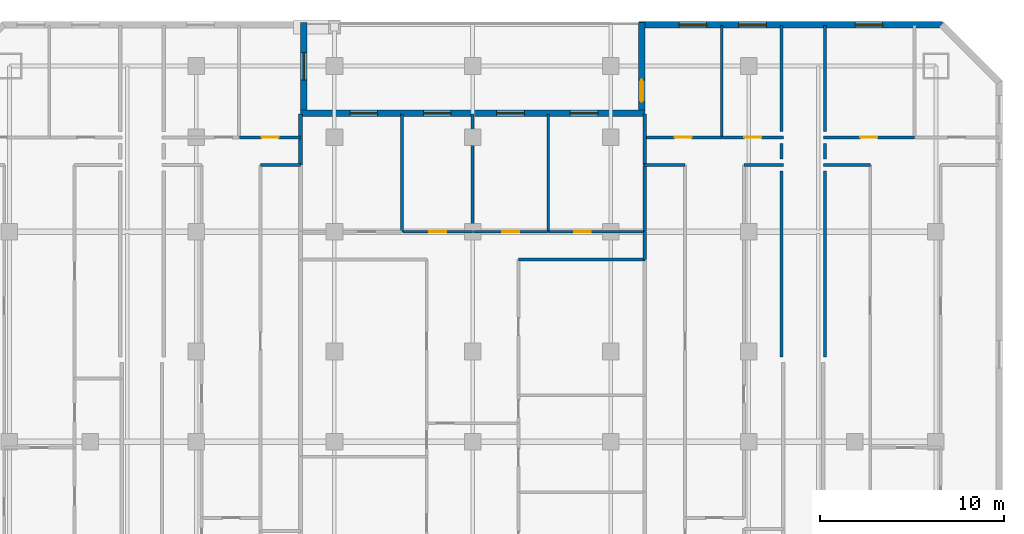
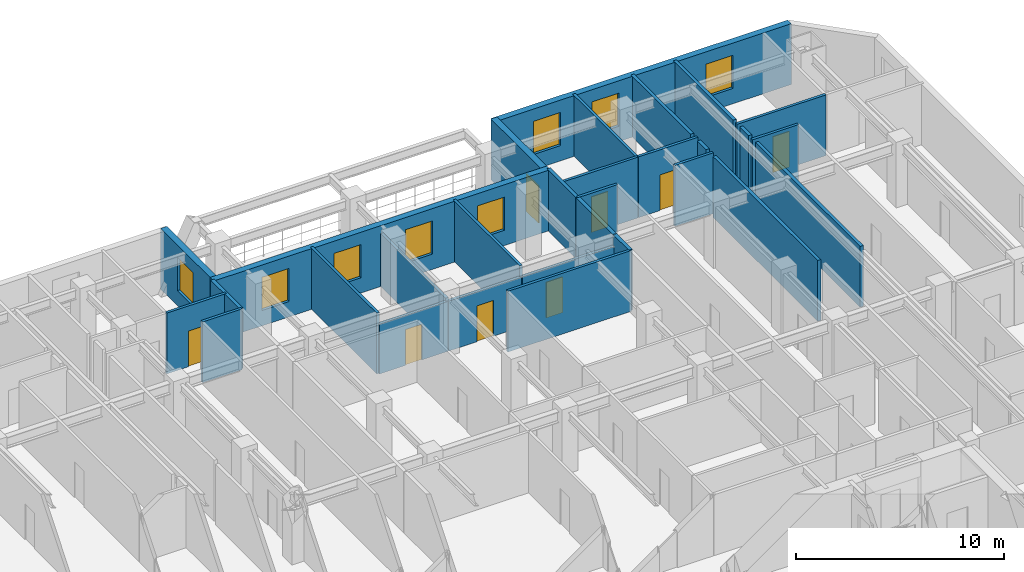
# One storey, part 8 of 10: 30 walls, 8 doors, 8 windows, 16 openings.
"""IFC4 building model written with IfcOpenShell, lengths in metres."""

import ifcopenshell
import ifcopenshell.guid

model = None  # the IFC model being written
_history = None  # IfcOwnerHistory: only IFC2X3 demands one
_inside = {}  # id of a spatial element -> (the spatial element, [elements in it])
_under = {}  # id of a project, library or spatial element -> (it, [spatial elements below it])
_declared = {}  # id of a project -> (the project, [libraries it declares])
_typed = {}  # id of a type object -> (the type object, [elements of that type])
_made_of = {}  # id of a material, layer set ... -> (it, [elements and type objects made of it])


def new_model(schema):
    """Start an empty IFC model of exactly this schema.

    Asked for "IFC4X3", IfcOpenShell would pick the latest addendum, in which some entities
    have other attributes; the version numbers below select the first issue.
    IFC2X3 requires an IfcOwnerHistory on every rooted entity: one is made here for all.
    """
    global model, _history
    if schema == "IFC4X3":
        model = ifcopenshell.file(schema_version=(4, 3, 0, 0))
    else:
        model = ifcopenshell.file(schema=schema)
    _inside.clear()
    _under.clear()
    _declared.clear()
    _typed.clear()
    _made_of.clear()
    _history = None
    if model.schema == "IFC2X3":
        org = make("IfcOrganization", Name="unknown")
        user = make(
            "IfcPersonAndOrganization",
            ThePerson=make("IfcPerson", FamilyName="unknown"),
            TheOrganization=org,
        )
        app = make(
            "IfcApplication",
            ApplicationDeveloper=org,
            Version="unknown",
            ApplicationFullName="unknown",
            ApplicationIdentifier="unknown",
        )
        _history = make(
            "IfcOwnerHistory",
            OwningUser=user,
            OwningApplication=app,
            ChangeAction="ADDED",
            CreationDate=0,
        )
    return model


def make(cls, **values):
    """One entity of the class cls with the attributes given. An attribute that is None is left unset."""
    return model.create_entity(
        cls, **{name: value for name, value in values.items() if value is not None}
    )


def rooted(cls, **values):
    """An entity with a GlobalId (a new one), such as an element, a storey or a relation."""
    return make(cls, GlobalId=ifcopenshell.guid.new(), OwnerHistory=_history, **values)


def si_unit(unit_type, name, prefix=None):
    """IfcSIUnit, for example si_unit("LENGTHUNIT", "METRE", prefix="MILLI")."""
    return make("IfcSIUnit", UnitType=unit_type, Prefix=prefix, Name=name)


def assignment(units):
    """IfcUnitAssignment: the units of a project."""
    return None if units is None else make("IfcUnitAssignment", Units=units)


def point(xyz):
    """IfcCartesianPoint."""
    return None if xyz is None else make("IfcCartesianPoint", Coordinates=xyz)


def direction(xyz):
    """IfcDirection."""
    return None if xyz is None else make("IfcDirection", DirectionRatios=xyz)


def frame(location, z_axis=None, x_axis=None):
    """IfcAxis2Placement3D, a coordinate frame: its origin and axes. An axis left out is left unset."""
    return make(
        "IfcAxis2Placement3D",
        Location=point(location),
        Axis=direction(z_axis),
        RefDirection=direction(x_axis),
    )


def frame_2d(location, x_axis=None):
    """IfcAxis2Placement2D, a coordinate frame in the plane: its origin and x axis."""
    return make(
        "IfcAxis2Placement2D", Location=point(location), RefDirection=direction(x_axis)
    )


def origin():
    """The frame at (0, 0, 0) with its axes left unset."""
    return frame((0.0, 0.0, 0.0))


def place(relative_to, where):
    """IfcLocalPlacement: puts the frame where relative to a parent placement (None: the world)."""
    return make(
        "IfcLocalPlacement", PlacementRelTo=relative_to, RelativePlacement=where
    )


def context(
    kind, dimensions, precision=None, world=None, true_north=None, identifier=None
):
    """IfcGeometricRepresentationContext, for example the 3D "Model" context."""
    return make(
        "IfcGeometricRepresentationContext",
        ContextIdentifier=identifier,
        ContextType=kind,
        CoordinateSpaceDimension=dimensions,
        Precision=precision,
        WorldCoordinateSystem=world,
        TrueNorth=true_north,
    )


def subcontext(parent, identifier, kind, view, scale=None):
    """IfcGeometricRepresentationSubContext, for example "Body" below "Model"."""
    return make(
        "IfcGeometricRepresentationSubContext",
        ContextIdentifier=identifier,
        ContextType=kind,
        ParentContext=parent,
        TargetScale=scale,
        TargetView=view,
    )


def project(units=None, contexts=None):
    """IfcProject with its units and contexts."""
    return rooted(
        "IfcProject",
        Name="project",
        RepresentationContexts=contexts,
        UnitsInContext=assignment(units),
    )


def spatial(cls, under=None, at=None, **own):
    """A site, building, storey or space (cls), placed at a placement, below another one or the project."""
    s = rooted(cls, ObjectPlacement=at, **own)
    if under is not None:
        _under.setdefault(under.id(), (under, []))[1].append(s)
    return s


def profile(cls, at=None, kind="AREA", **sizes):
    """A parametric profile (cls). Its sizes go by their IFC names, for example OverallWidth=200.0."""
    return make(cls, ProfileType=kind, Position=at, **sizes)


def rectangle(**sizes):
    """IfcRectangleProfileDef."""
    return profile("IfcRectangleProfileDef", **sizes)


def extrude(swept, where, along, depth):
    """IfcExtrudedAreaSolid: the profile swept, set in the frame where, extruded along a direction by depth."""
    return make(
        "IfcExtrudedAreaSolid",
        SweptArea=swept,
        Position=where,
        ExtrudedDirection=direction(along),
        Depth=depth,
    )


def shape(context_of_items, identifier, shape_type, items):
    """IfcShapeRepresentation: the items that make up one representation, for example the "Body"."""
    return make(
        "IfcShapeRepresentation",
        ContextOfItems=context_of_items,
        RepresentationIdentifier=identifier,
        RepresentationType=shape_type,
        Items=items,
    )


def material(Name=None, Category=None):
    """IfcMaterial."""
    return make("IfcMaterial", Name=Name, Category=Category)


def layer(
    of_material, thickness, ventilated=None, Name=None, Category=None, Priority=None
):
    """IfcMaterialLayer: one layer of a wall or slab, of a material (None: an air gap)."""
    return make(
        "IfcMaterialLayer",
        Material=of_material,
        LayerThickness=thickness,
        IsVentilated=ventilated,
        Name=Name,
        Category=Category,
        Priority=Priority,
    )


def layer_set(layers, Name=None):
    """IfcMaterialLayerSet."""
    return make("IfcMaterialLayerSet", MaterialLayers=layers, LayerSetName=Name)


def made_of(thing, what):
    """Note that an element or type object is made of a material, layer set ...; save() writes the relation."""
    if what is not None:
        _made_of.setdefault(what.id(), (what, []))[1].append(thing)
    return thing


def type_object(cls, material=None, **own):
    """A type object (cls), such as IfcWallType, which elements share."""
    return made_of(rooted(cls, **own), material)


def element(
    cls,
    number,
    at=None,
    inside=None,
    cuts=None,
    type_object=None,
    material=None,
    context=None,
    identifier="Body",
    shape_type=None,
    held_by="IfcProductDefinitionShape",
    body=None,
    shapes=None,
    **own,
):
    """One element of the class cls, such as IfcWall. Its Tag is "e" and its number.

    at: its placement. inside: the storey or other place that contains it. cuts: it is an
    opening in that element (IfcRelVoidsElement). A single representation is given by context,
    identifier, shape_type and body (its items); several are given by shapes. held_by: the class
    of the entity that holds the representations. save() writes the other relations.
    """
    e = rooted(cls, Tag="e%d" % number, ObjectPlacement=at, **own)
    if body is not None:
        shapes = [shape(context, identifier, shape_type, body)]
    if shapes is not None:
        e.Representation = make(held_by, Representations=shapes)
    if inside is not None:
        _inside.setdefault(inside.id(), (inside, []))[1].append(e)
    if cuts is not None:
        rooted(
            "IfcRelVoidsElement", RelatingBuildingElement=cuts, RelatedOpeningElement=e
        )
    if type_object is not None:
        _typed.setdefault(type_object.id(), (type_object, []))[1].append(e)
    return made_of(e, material)


def fill(opening, filler):
    """IfcRelFillsElement: the door or window that sits in an opening."""
    return rooted(
        "IfcRelFillsElement",
        RelatingOpeningElement=opening,
        RelatedBuildingElement=filler,
    )


def aggregate(whole, parts):
    """IfcRelAggregates: a whole, such as a stair, and the parts it consists of."""
    return rooted("IfcRelAggregates", RelatingObject=whole, RelatedObjects=parts)


def save(model, path):
    """Write the relations noted so far, then the file.

    IfcRelAggregates (storeys below a building ...), IfcRelContainedInSpatialStructure (elements
    in a storey), IfcRelDefinesByType, IfcRelAssociatesMaterial and IfcRelDeclares: one each for
    every whole, place, type object, material and project.
    """
    for whole, parts in _under.values():
        aggregate(whole, parts)
    for where, things in _inside.values():
        rooted(
            "IfcRelContainedInSpatialStructure",
            RelatedElements=things,
            RelatingStructure=where,
        )
    for kind, things in _typed.values():
        rooted("IfcRelDefinesByType", RelatedObjects=things, RelatingType=kind)
    for what, things in _made_of.values():
        rooted("IfcRelAssociatesMaterial", RelatedObjects=things, RelatingMaterial=what)
    for by, libraries in _declared.values():
        rooted("IfcRelDeclares", RelatingContext=by, RelatedDefinitions=libraries)
    model.write(path)


model = new_model("IFC4")

# Units and contexts
model_context = context("Model", 3, precision=1e-05, world=origin(), true_north=direction((0.0, 1.0)))
body_context = subcontext(model_context, "Body", "Model", "MODEL_VIEW")
ifc_project = project(units=[si_unit("LENGTHUNIT", "METRE"), si_unit("AREAUNIT", "SQUARE_METRE"), si_unit("VOLUMEUNIT", "CUBIC_METRE"), si_unit("PLANEANGLEUNIT", "RADIAN"), si_unit("MASSUNIT", "GRAM", prefix="KILO")], contexts=[model_context])

# Site, building, storey
site_placement = place(None, origin())
site = spatial("IfcSite", under=ifc_project, at=site_placement, CompositionType="ELEMENT")
building_placement = place(site_placement, origin())
building = spatial("IfcBuilding", under=site, at=building_placement, Name="Ventersveld Concourse Tower", CompositionType="ELEMENT")
storey_placement = place(building_placement, frame((0.0, 0.0, 72.14990234375)))
storey = spatial("IfcBuildingStorey", under=building, at=storey_placement, Name="L17", CompositionType="ELEMENT", Elevation=72.14990234375)

# Walls
ifc_material_1 = material(Name="Fire-rated autoclaved aerated masonry blockwork", Category="masonry")
ifc_layer_1 = layer(ifc_material_1, 0.179931640625)
ifc_layer_set_1 = layer_set([ifc_layer_1], Name="Fire-rated autoclaved aerated masonry blockwork")
wall_type_1 = type_object("IfcWallType", Name="WL-CORR-180", PredefinedType="PARTITIONING", material=ifc_layer_set_1)
wall_1_placement = place(storey_placement, frame((47.8798828125, 38.945068359375, 0.0), z_axis=(0.0, 0.0, 1.0), x_axis=(0.0, 1.0, 0.0)))
element("IfcWall", 1, at=wall_1_placement, inside=storey, type_object=wall_type_1, Name="L17 Room Enclosure Wall SP-L17-17NE-LIV", PredefinedType="PARTITIONING", context=body_context, shape_type="SweptSolid", body=[
    extrude(rectangle(XDim=0.849853515625, YDim=0.179931640625, at=frame_2d((0.4248046875, 0.0))), origin(), (0.0, 0.0, 1.0), 3.570068359375),
])
wall_2_placement = place(storey_placement, frame((47.8798828125, 28.2099609375, 0.0), z_axis=(0.0, 0.0, 1.0), x_axis=(0.0, 1.0, 0.0)))
element("IfcWall", 2, at=wall_2_placement, inside=storey, type_object=wall_type_1, Name="L17 Room Enclosure Wall SP-L17-17NE-MEDL0", PredefinedType="PARTITIONING", context=body_context, shape_type="SweptSolid", body=[
    extrude(rectangle(XDim=10.0849609375, YDim=0.179931640625, at=frame_2d((5.04248046875, 0.0))), origin(), (0.0, 0.0, 1.0), 3.570068359375),
])
wall_3_placement = place(storey_placement, frame((47.8798828125, 40.445068359375, 0.0), z_axis=(0.0, 0.0, 1.0), x_axis=(0.0, 1.0, 0.0)))
element("IfcWall", 3, at=wall_3_placement, inside=storey, type_object=wall_type_1, Name="L17 Room Enclosure Wall SP-L17-17NE-BR1", PredefinedType="PARTITIONING", context=body_context, shape_type="SweptSolid", body=[
    extrude(rectangle(XDim=5.744873046875, YDim=0.179931640625, at=frame_2d((2.87255859375, 0.0))), origin(), (0.0, 0.0, 1.0), 3.570068359375),
])
wall_4_placement = place(storey_placement, frame((45.52001953125, 39.794921875, 0.0), z_axis=(0.0, 0.0, 1.0), x_axis=(0.0, -1.0, 0.0)))
element("IfcWall", 4, at=wall_4_placement, inside=storey, type_object=wall_type_1, Name="L17 Room Enclosure Wall SP-L17-17CE-LIV", PredefinedType="PARTITIONING", context=body_context, shape_type="SweptSolid", body=[
    extrude(rectangle(XDim=0.849853515625, YDim=0.179931640625, at=frame_2d((0.4248046875, 0.0))), origin(), (0.0, 0.0, 1.0), 3.570068359375),
])
wall_5_placement = place(storey_placement, frame((45.52001953125, 38.294921875, 0.0), z_axis=(0.0, 0.0, 1.0), x_axis=(0.0, -1.0, 0.0)))
element("IfcWall", 5, at=wall_5_placement, inside=storey, type_object=wall_type_1, Name="L17 Room Enclosure Wall SP-L17-17CE-DENR", PredefinedType="PARTITIONING", context=body_context, shape_type="SweptSolid", body=[
    extrude(rectangle(XDim=10.0849609375, YDim=0.179931640625, at=frame_2d((5.04248046875, 0.0))), origin(), (0.0, 0.0, 1.0), 3.570068359375),
])
wall_6_placement = place(storey_placement, frame((45.52001953125, 46.18994140625, 0.0), z_axis=(0.0, 0.0, 1.0), x_axis=(0.0, -1.0, 0.0)))
element("IfcWall", 6, at=wall_6_placement, inside=storey, type_object=wall_type_1, Name="L17 Room Enclosure Wall SP-L17-17CE-BR2", PredefinedType="PARTITIONING", context=body_context, shape_type="SweptSolid", body=[
    extrude(rectangle(XDim=5.744873046875, YDim=0.179931640625, at=frame_2d((2.87255859375, 0.0))), origin(), (0.0, 0.0, 1.0), 3.570068359375),
])
ifc_layer_2 = layer(ifc_material_1, 0.199951171875)
ifc_layer_set_2 = layer_set([ifc_layer_2], Name="Fire-rated autoclaved aerated masonry blockwork")
wall_type_2 = type_object("IfcWallType", Name="WL-DEMISE-200", PredefinedType="PARTITIONING", material=ifc_layer_set_2)
for number, where, z_axis, x_axis, name in (
    (7, (19.409912109375, 38.614990234375, 0.0), (0.0, 0.0, 1.0), (0.0, 1.0, 0.0), "L17 Interior Partition SP-L17-17CW-LIV-SP-L17-17CM-BR1"),
    (8, (38.090087890625, 38.614990234375, 0.0), (0.0, 0.0, 1.0), (0.0, 1.0, 0.0), "L17 Interior Partition SP-L17-17CE-LIV-SP-L17-17CM-BR4"),
):
    element("IfcWall", number, at=place(storey_placement, frame(where, z_axis=z_axis, x_axis=x_axis)), inside=storey, type_object=wall_type_2, Name=name, PredefinedType="PARTITIONING", context=body_context, shape_type="SweptSolid", body=[
        extrude(rectangle(XDim=2.77490234375, YDim=0.199951171875, at=frame_2d((1.387451171875, 0.0))), origin(), (0.0, 0.0, 1.0), 3.570068359375),
    ])
wall_7_placement = place(storey_placement, frame((38.090087890625, 33.4951171875, 0.0), z_axis=(0.0, 0.0, 1.0), x_axis=(0.0, 1.0, 0.0)))
element("IfcWall", 9, at=wall_7_placement, inside=storey, type_object=wall_type_2, Name="L17 Interior Partition SP-L17-17CE-SEML0-SP-L17-17CM-LIV", PredefinedType="PARTITIONING", context=body_context, shape_type="SweptSolid", body=[
    extrude(rectangle(XDim=1.509765625, YDim=0.199951171875, at=frame_2d((0.7548828125, 0.0))), origin(), (0.0, 0.0, 1.0), 3.570068359375),
])
wall_8_placement = place(storey_placement, frame((38.090087890625, 35.034912109375, 0.0), z_axis=(0.0, 0.0, 1.0), x_axis=(0.0, 1.0, 0.0)))
element("IfcWall", 10, at=wall_8_placement, inside=storey, type_object=wall_type_2, Name="L17 Interior Partition SP-L17-17CE-SEML0-SP-L17-17CM-BR4", PredefinedType="PARTITIONING", context=body_context, shape_type="SweptSolid", body=[
    extrude(rectangle(XDim=3.550048828125, YDim=0.199951171875, at=frame_2d((1.77490234375, 0.0))), origin(), (0.0, 0.0, 1.0), 3.570068359375),
])
ifc_material_2 = material(Name="Autoclaved aerated masonry blockwork", Category="masonry")
ifc_layer_3 = layer(ifc_material_2, 0.14990234375)
ifc_layer_set_3 = layer_set([ifc_layer_3], Name="Autoclaved aerated masonry blockwork")
wall_type_3 = type_object("IfcWallType", Name="WL-INT-150", PredefinedType="PARTITIONING", material=ifc_layer_set_3)
wall_9_placement = place(storey_placement, frame((47.784912109375, 38.6201171875, 0.0), z_axis=(0.0, 0.0, 1.0), x_axis=(1.0, 0.0, 0.0)))
element("IfcWall", 11, at=wall_9_placement, inside=storey, type_object=wall_type_3, Name="L17 Interior Partition SP-L17-17NE-LIV-SP-L17-17NE-MEDL0", PredefinedType="PARTITIONING", context=body_context, shape_type="SweptSolid", body=[
    extrude(rectangle(XDim=2.55712890625, YDim=0.14990234375, at=frame_2d((1.278564453125, 0.0))), origin(), (0.0, 0.0, 1.0), 3.570068359375),
])

# Wall, opening, door
wall_10_placement = place(storey_placement, frame((47.784912109375, 40.1201171875, 0.0), z_axis=(0.0, 0.0, 1.0), x_axis=(1.0, 0.0, 0.0)))
wall_10 = element("IfcWall", 12, at=wall_10_placement, inside=storey, type_object=wall_type_3, Name="L17 Interior Partition SP-L17-17NE-LIV-SP-L17-17NE-BR1", PredefinedType="PARTITIONING", context=body_context, shape_type="SweptSolid", body=[
    extrude(rectangle(XDim=4.951171875, YDim=0.14990234375, at=frame_2d((2.4755859375, 0.0))), origin(), (0.0, 0.0, 1.0), 3.570068359375),
])
opening_1_placement = place(wall_10_placement, frame((2.015625, 0.0, 0.0)))
opening_1 = element("IfcOpeningElement", 13, at=opening_1_placement, cuts=wall_10, Name="Opening ID1", PredefinedType="OPENING", context=body_context, shape_type="SweptSolid", body=[
    extrude(rectangle(XDim=0.919921875, YDim=2.10009765625, at=frame_2d((0.4599609375, 1.050048828125))), frame((0.0, 0.0849609375, 0.0), z_axis=(0.0, -1.0, 0.0), x_axis=(1.0, 0.0, 0.0)), (0.0, 0.0, 1.0), 0.169921875),
])
ifc_material_3 = material(Name="Solid-core hardwood veneer timber", Category="wood")
door_type_1 = type_object("IfcDoorType", Name="DR-ROOM-092", OperationType="NOTDEFINED", PredefinedType="DOOR", material=ifc_material_3)
door_1_placement = place(opening_1_placement, origin())
door_1 = element("IfcDoor", 14, at=door_1_placement, inside=storey, type_object=door_type_1, Name="L17 Interior Door SP-L17-17NE-LIV to SP-L17-17NE-BR1 (D-L17-0802)", OperationType="SINGLE_SWING_RIGHT", OverallHeight=2.10009765625, OverallWidth=0.919921875, PredefinedType="DOOR", context=body_context, shape_type="SweptSolid", body=[
    extrude(rectangle(XDim=0.919921875, YDim=2.10009765625, at=frame_2d((0.4599609375, 1.050048828125))), frame((0.0, 0.02490234375, 0.0), z_axis=(0.0, -1.0, 0.0), x_axis=(1.0, 0.0, 0.0)), (0.0, 0.0, 1.0), 0.050048828125),
])
fill(opening_1, door_1)

# Wall
wall_11_placement = place(storey_placement, frame((17.227783203125, 38.6201171875, 0.0), z_axis=(0.0, 0.0, 1.0), x_axis=(1.0, 0.0, 0.0)))
element("IfcWall", 15, at=wall_11_placement, inside=storey, type_object=wall_type_3, Name="L17 Interior Partition SP-L17-17CW-LIV-SP-L17-17CW-DENR", PredefinedType="PARTITIONING", context=body_context, shape_type="SweptSolid", body=[
    extrude(rectangle(XDim=2.187255859375, YDim=0.14990234375, at=frame_2d((1.09375, 0.0))), origin(), (0.0, 0.0, 1.0), 3.570068359375),
])

# Wall, opening, door
wall_12_placement = place(storey_placement, frame((16.106201171875, 40.1201171875, 0.0), z_axis=(0.0, 0.0, 1.0), x_axis=(1.0, 0.0, 0.0)))
wall_12 = element("IfcWall", 16, at=wall_12_placement, inside=storey, type_object=wall_type_3, Name="L17 Interior Partition SP-L17-17CW-LIV-SP-L17-17CW-BR2", PredefinedType="PARTITIONING", context=body_context, shape_type="SweptSolid", body=[
    extrude(rectangle(XDim=3.308837890625, YDim=0.14990234375, at=frame_2d((1.654296875, 0.0))), origin(), (0.0, 0.0, 1.0), 3.570068359375),
])
opening_2_placement = place(wall_12_placement, frame((1.1943359375, 0.0, 0.0)))
opening_2 = element("IfcOpeningElement", 17, at=opening_2_placement, cuts=wall_12, Name="Opening ID1", PredefinedType="OPENING", context=body_context, shape_type="SweptSolid", body=[
    extrude(rectangle(XDim=0.919921875, YDim=2.10009765625, at=frame_2d((0.4599609375, 1.050048828125))), frame((0.0, 0.0849609375, 0.0), z_axis=(0.0, -1.0, 0.0), x_axis=(1.0, 0.0, 0.0)), (0.0, 0.0, 1.0), 0.169921875),
])
door_2_placement = place(opening_2_placement, origin())
door_2 = element("IfcDoor", 18, at=door_2_placement, inside=storey, type_object=door_type_1, Name="L17 Interior Door SP-L17-17CW-LIV to SP-L17-17CW-BR2 (D-L17-0811)", OperationType="SINGLE_SWING_LEFT", OverallHeight=2.10009765625, OverallWidth=0.919921875, PredefinedType="DOOR", context=body_context, shape_type="SweptSolid", body=[
    extrude(rectangle(XDim=0.919921875, YDim=2.10009765625, at=frame_2d((0.4599609375, 1.050048828125))), frame((0.0, 0.02490234375, 0.0), z_axis=(0.0, -1.0, 0.0), x_axis=(1.0, 0.0, 0.0)), (0.0, 0.0, 1.0), 0.050048828125),
])
fill(opening_2, door_2)

# Walls
wall_13_placement = place(storey_placement, frame((38.0849609375, 38.6201171875, 0.0), z_axis=(0.0, 0.0, 1.0), x_axis=(1.0, 0.0, 0.0)))
element("IfcWall", 19, at=wall_13_placement, inside=storey, type_object=wall_type_3, Name="L17 Interior Partition SP-L17-17CE-LIV-SP-L17-17CE-SEML0", PredefinedType="PARTITIONING", context=body_context, shape_type="SweptSolid", body=[
    extrude(rectangle(XDim=2.202392578125, YDim=0.14990234375, at=frame_2d((1.10107421875, 0.0))), origin(), (0.0, 0.0, 1.0), 3.570068359375),
])
wall_14_placement = place(storey_placement, frame((43.4736328125, 38.6201171875, 0.0), z_axis=(0.0, 0.0, 1.0), x_axis=(1.0, 0.0, 0.0)))
element("IfcWall", 20, at=wall_14_placement, inside=storey, type_object=wall_type_3, Name="L17 Interior Partition SP-L17-17CE-LIV-SP-L17-17CE-DENR", PredefinedType="PARTITIONING", context=body_context, shape_type="SweptSolid", body=[
    extrude(rectangle(XDim=2.141357421875, YDim=0.14990234375, at=frame_2d((1.07080078125, 0.0))), origin(), (0.0, 0.0, 1.0), 3.570068359375),
])

# Wall, opening, door
wall_15_placement = place(storey_placement, frame((38.0849609375, 40.1201171875, 0.0), z_axis=(0.0, 0.0, 1.0), x_axis=(1.0, 0.0, 0.0)))
wall_15 = element("IfcWall", 21, at=wall_15_placement, inside=storey, type_object=wall_type_3, Name="L17 Interior Partition SP-L17-17CE-LIV-SP-L17-17CE-BR1", PredefinedType="PARTITIONING", context=body_context, shape_type="SweptSolid", body=[
    extrude(rectangle(XDim=4.191162109375, YDim=0.14990234375, at=frame_2d((2.095703125, 0.0))), origin(), (0.0, 0.0, 1.0), 3.570068359375),
])
opening_3_placement = place(wall_15_placement, frame((1.635498046875, 0.0, 0.0)))
opening_3 = element("IfcOpeningElement", 22, at=opening_3_placement, cuts=wall_15, Name="Opening ID1", PredefinedType="OPENING", context=body_context, shape_type="SweptSolid", body=[
    extrude(rectangle(XDim=0.919921875, YDim=2.10009765625, at=frame_2d((0.4599609375, 1.050048828125))), frame((0.0, 0.0849609375, 0.0), z_axis=(0.0, -1.0, 0.0), x_axis=(1.0, 0.0, 0.0)), (0.0, 0.0, 1.0), 0.169921875),
])
door_3_placement = place(opening_3_placement, origin())
door_3 = element("IfcDoor", 23, at=door_3_placement, inside=storey, type_object=door_type_1, Name="L17 Interior Door SP-L17-17CE-LIV to SP-L17-17CE-BR1 (D-L17-0818)", OperationType="SINGLE_SWING_RIGHT", OverallHeight=2.10009765625, OverallWidth=0.919921875, PredefinedType="DOOR", context=body_context, shape_type="SweptSolid", body=[
    extrude(rectangle(XDim=0.919921875, YDim=2.10009765625, at=frame_2d((0.4599609375, 1.050048828125))), frame((0.0, 0.02490234375, 0.0), z_axis=(0.0, -1.0, 0.0), x_axis=(1.0, 0.0, 0.0)), (0.0, 0.0, 1.0), 0.050048828125),
])
fill(opening_3, door_3)

wall_16_placement = place(storey_placement, frame((42.30615234375, 40.1201171875, 0.0), z_axis=(0.0, 0.0, 1.0), x_axis=(1.0, 0.0, 0.0)))
wall_16 = element("IfcWall", 24, at=wall_16_placement, inside=storey, type_object=wall_type_3, Name="L17 Interior Partition SP-L17-17CE-LIV-SP-L17-17CE-BR2", PredefinedType="PARTITIONING", context=body_context, shape_type="SweptSolid", body=[
    extrude(rectangle(XDim=3.308837890625, YDim=0.14990234375, at=frame_2d((1.654296875, 0.0))), origin(), (0.0, 0.0, 1.0), 3.570068359375),
])
opening_4_placement = place(wall_16_placement, frame((1.1943359375, 0.0, 0.0)))
opening_4 = element("IfcOpeningElement", 25, at=opening_4_placement, cuts=wall_16, Name="Opening ID1", PredefinedType="OPENING", context=body_context, shape_type="SweptSolid", body=[
    extrude(rectangle(XDim=0.919921875, YDim=2.10009765625, at=frame_2d((0.4599609375, 1.050048828125))), frame((0.0, 0.0849609375, 0.0), z_axis=(0.0, -1.0, 0.0), x_axis=(1.0, 0.0, 0.0)), (0.0, 0.0, 1.0), 0.169921875),
])
door_4_placement = place(opening_4_placement, origin())
door_4 = element("IfcDoor", 26, at=door_4_placement, inside=storey, type_object=door_type_1, Name="L17 Interior Door SP-L17-17CE-LIV to SP-L17-17CE-BR2 (D-L17-0819)", OperationType="SINGLE_SWING_LEFT", OverallHeight=2.10009765625, OverallWidth=0.919921875, PredefinedType="DOOR", context=body_context, shape_type="SweptSolid", body=[
    extrude(rectangle(XDim=0.919921875, YDim=2.10009765625, at=frame_2d((0.4599609375, 1.050048828125))), frame((0.0, 0.02490234375, 0.0), z_axis=(0.0, -1.0, 0.0), x_axis=(1.0, 0.0, 0.0)), (0.0, 0.0, 1.0), 0.050048828125),
])
fill(opening_4, door_4)

# Walls
wall_17_placement = place(storey_placement, frame((42.271240234375, 40.114990234375, 0.0), z_axis=(0.0, 0.0, 1.0), x_axis=(0.0, 1.0, 0.0)))
element("IfcWall", 27, at=wall_17_placement, inside=storey, type_object=wall_type_3, Name="L17 Interior Partition SP-L17-17CE-BR1-SP-L17-17CE-BR2", PredefinedType="PARTITIONING", context=body_context, shape_type="SweptSolid", body=[
    extrude(rectangle(XDim=6.074951171875, YDim=0.14990234375, at=frame_2d((3.03759765625, 0.0))), origin(), (0.0, 0.0, 1.0), 3.570068359375),
])
wall_18_placement = place(storey_placement, frame((31.235107421875, 33.5, 0.0), z_axis=(0.0, 0.0, 1.0), x_axis=(1.0, 0.0, 0.0)))
element("IfcWall", 28, at=wall_18_placement, inside=storey, type_object=wall_type_3, Name="L17 Interior Partition SP-L17-17CM-LIV-SP-L17-17CM-DENS2", PredefinedType="PARTITIONING", context=body_context, shape_type="SweptSolid", body=[
    extrude(rectangle(XDim=6.85986328125, YDim=0.14990234375, at=frame_2d((3.429931640625, 0.0))), origin(), (0.0, 0.0, 1.0), 3.570068359375),
])

# Wall, opening, door
wall_19_placement = place(storey_placement, frame((24.956787109375, 35.0, 0.0), z_axis=(0.0, 0.0, 1.0), x_axis=(1.0, 0.0, 0.0)))
wall_19 = element("IfcWall", 29, at=wall_19_placement, inside=storey, type_object=wall_type_3, Name="L17 Interior Partition SP-L17-17CM-LIV-SP-L17-17CM-BR2", PredefinedType="PARTITIONING", context=body_context, shape_type="SweptSolid", body=[
    extrude(rectangle(XDim=3.798095703125, YDim=0.14990234375, at=frame_2d((1.89892578125, 0.0))), origin(), (0.0, 0.0, 1.0), 2.934326171875),
])
opening_5_placement = place(wall_19_placement, frame((1.43896484375, 0.0, 0.0)))
opening_5 = element("IfcOpeningElement", 30, at=opening_5_placement, cuts=wall_19, Name="Opening ID1", PredefinedType="OPENING", context=body_context, shape_type="SweptSolid", body=[
    extrude(rectangle(XDim=0.919921875, YDim=2.10009765625, at=frame_2d((0.4599609375, 1.050048828125))), frame((0.0, 0.0849609375, 0.0), z_axis=(0.0, -1.0, 0.0), x_axis=(1.0, 0.0, 0.0)), (0.0, 0.0, 1.0), 0.169921875),
])
door_5_placement = place(opening_5_placement, origin())
door_5 = element("IfcDoor", 31, at=door_5_placement, inside=storey, type_object=door_type_1, Name="L17 Interior Door SP-L17-17CM-LIV to SP-L17-17CM-BR2 (D-L17-0831)", OperationType="SINGLE_SWING_LEFT", OverallHeight=2.10009765625, OverallWidth=0.919921875, PredefinedType="DOOR", context=body_context, shape_type="SweptSolid", body=[
    extrude(rectangle(XDim=0.919921875, YDim=2.10009765625, at=frame_2d((0.4599609375, 1.050048828125))), frame((0.0, 0.02490234375, 0.0), z_axis=(0.0, -1.0, 0.0), x_axis=(1.0, 0.0, 0.0)), (0.0, 0.0, 1.0), 0.050048828125),
])
fill(opening_5, door_5)

wall_20_placement = place(storey_placement, frame((28.784912109375, 35.0, 0.0), z_axis=(0.0, 0.0, 1.0), x_axis=(1.0, 0.0, 0.0)))
wall_20 = element("IfcWall", 32, at=wall_20_placement, inside=storey, type_object=wall_type_3, Name="L17 Interior Partition SP-L17-17CM-LIV-SP-L17-17CM-BR3", PredefinedType="PARTITIONING", context=body_context, shape_type="SweptSolid", body=[
    extrude(rectangle(XDim=4.078857421875, YDim=0.14990234375, at=frame_2d((2.03955078125, 0.0))), origin(), (0.0, 0.0, 1.0), 2.934326171875),
])
opening_6_placement = place(wall_20_placement, frame((1.579345703125, 0.0, 0.0)))
opening_6 = element("IfcOpeningElement", 33, at=opening_6_placement, cuts=wall_20, Name="Opening ID1", PredefinedType="OPENING", context=body_context, shape_type="SweptSolid", body=[
    extrude(rectangle(XDim=0.919921875, YDim=2.10009765625, at=frame_2d((0.4599609375, 1.050048828125))), frame((0.0, 0.0849609375, 0.0), z_axis=(0.0, -1.0, 0.0), x_axis=(1.0, 0.0, 0.0)), (0.0, 0.0, 1.0), 0.169921875),
])
door_6_placement = place(opening_6_placement, origin())
door_6 = element("IfcDoor", 34, at=door_6_placement, inside=storey, type_object=door_type_1, Name="L17 Interior Door SP-L17-17CM-LIV to SP-L17-17CM-BR3 (D-L17-0832)", OperationType="SINGLE_SWING_RIGHT", OverallHeight=2.10009765625, OverallWidth=0.919921875, PredefinedType="DOOR", context=body_context, shape_type="SweptSolid", body=[
    extrude(rectangle(XDim=0.919921875, YDim=2.10009765625, at=frame_2d((0.4599609375, 1.050048828125))), frame((0.0, 0.02490234375, 0.0), z_axis=(0.0, -1.0, 0.0), x_axis=(1.0, 0.0, 0.0)), (0.0, 0.0, 1.0), 0.050048828125),
])
fill(opening_6, door_6)

wall_21_placement = place(storey_placement, frame((32.893798828125, 35.0, 0.0), z_axis=(0.0, 0.0, 1.0), x_axis=(1.0, 0.0, 0.0)))
wall_21 = element("IfcWall", 35, at=wall_21_placement, inside=storey, type_object=wall_type_3, Name="L17 Interior Partition SP-L17-17CM-LIV-SP-L17-17CM-BR4", PredefinedType="PARTITIONING", context=body_context, shape_type="SweptSolid", body=[
    extrude(rectangle(XDim=5.201171875, YDim=0.14990234375, at=frame_2d((2.6005859375, 0.0))), origin(), (0.0, 0.0, 1.0), 2.934326171875),
])
opening_7_placement = place(wall_21_placement, frame((1.360595703125, 0.0, 0.0)))
opening_7 = element("IfcOpeningElement", 36, at=opening_7_placement, cuts=wall_21, Name="Opening ID1", PredefinedType="OPENING", context=body_context, shape_type="SweptSolid", body=[
    extrude(rectangle(XDim=0.919921875, YDim=2.10009765625, at=frame_2d((0.4599609375, 1.050048828125))), frame((0.0, 0.0849609375, 0.0), z_axis=(0.0, -1.0, 0.0), x_axis=(1.0, 0.0, 0.0)), (0.0, 0.0, 1.0), 0.169921875),
])
door_7_placement = place(opening_7_placement, origin())
door_7 = element("IfcDoor", 37, at=door_7_placement, inside=storey, type_object=door_type_1, Name="L17 Interior Door SP-L17-17CM-LIV to SP-L17-17CM-BR4 (D-L17-0833)", OperationType="SINGLE_SWING_LEFT", OverallHeight=2.10009765625, OverallWidth=0.919921875, PredefinedType="DOOR", context=body_context, shape_type="SweptSolid", body=[
    extrude(rectangle(XDim=0.919921875, YDim=2.10009765625, at=frame_2d((0.4599609375, 1.050048828125))), frame((0.0, 0.02490234375, 0.0), z_axis=(0.0, -1.0, 0.0), x_axis=(1.0, 0.0, 0.0)), (0.0, 0.0, 1.0), 0.050048828125),
])
fill(opening_7, door_7)

# Walls
wall_22_placement = place(storey_placement, frame((24.921875, 34.9951171875, 0.0), z_axis=(0.0, 0.0, 1.0), x_axis=(0.0, 1.0, 0.0)))
element("IfcWall", 38, at=wall_22_placement, inside=storey, type_object=wall_type_3, Name="L17 Interior Partition SP-L17-17CM-BR1-SP-L17-17CM-BR2", PredefinedType="PARTITIONING", context=body_context, shape_type="SweptSolid", body=[
    extrude(rectangle(XDim=6.394775390625, YDim=0.14990234375, at=frame_2d((3.197265625, 0.0))), origin(), (0.0, 0.0, 1.0), 3.570068359375),
])
wall_23_placement = place(storey_placement, frame((28.75, 34.9951171875, 0.0), z_axis=(0.0, 0.0, 1.0), x_axis=(0.0, 1.0, 0.0)))
element("IfcWall", 39, at=wall_23_placement, inside=storey, type_object=wall_type_3, Name="L17 Interior Partition SP-L17-17CM-BR2-SP-L17-17CM-BR3", PredefinedType="PARTITIONING", context=body_context, shape_type="SweptSolid", body=[
    extrude(rectangle(XDim=6.394775390625, YDim=0.14990234375, at=frame_2d((3.197265625, 0.0))), origin(), (0.0, 0.0, 1.0), 3.110107421875),
])
wall_24_placement = place(storey_placement, frame((32.858642578125, 34.9951171875, 0.0), z_axis=(0.0, 0.0, 1.0), x_axis=(0.0, 1.0, 0.0)))
element("IfcWall", 40, at=wall_24_placement, inside=storey, type_object=wall_type_3, Name="L17 Interior Partition SP-L17-17CM-BR3-SP-L17-17CM-BR4", PredefinedType="PARTITIONING", context=body_context, shape_type="SweptSolid", body=[
    extrude(rectangle(XDim=6.394775390625, YDim=0.14990234375, at=frame_2d((3.197265625, 0.0))), origin(), (0.0, 0.0, 1.0), 3.570068359375),
])

# Wall, openings, windows
ifc_material_4 = material(Name="Precast concrete C45/55", Category="concrete")
ifc_layer_4 = layer(ifc_material_4, 0.35009765625)
ifc_layer_set_4 = layer_set([ifc_layer_4], Name="Precast concrete C45/55")
wall_type_4 = type_object("IfcWallType", Name="WL-PREC-350", PredefinedType="SOLIDWALL", material=ifc_layer_set_4)
wall_25_placement = place(storey_placement, frame((54.260009765625, 46.22509765625, 0.0), z_axis=(0.0, 0.0, 1.0), x_axis=(-1.0, 0.0, 0.0)))
wall_25 = element("IfcWall", 41, at=wall_25_placement, inside=storey, type_object=wall_type_4, Name="L17 Highveld Precast Facade Wall E05", PredefinedType="SOLIDWALL", context=body_context, shape_type="SweptSolid", body=[
    extrude(rectangle(XDim=16.469970703125, YDim=0.35009765625, at=frame_2d((8.23486328125, 0.0))), origin(), (0.0, 0.0, 1.0), 3.570068359375),
])
opening_8_placement = place(wall_25_placement, frame((3.24951171875, 0.0, 0.89990234375)))
opening_8 = element("IfcOpeningElement", 42, at=opening_8_placement, cuts=wall_25, Name="Opening W1", PredefinedType="OPENING", context=body_context, shape_type="SweptSolid", body=[
    extrude(rectangle(XDim=1.5, YDim=1.949951171875, at=frame_2d((0.75, 0.97509765625))), frame((0.0, 0.18505859375, 0.0), z_axis=(0.0, -1.0, 0.0), x_axis=(1.0, 0.0, 0.0)), (0.0, 0.0, 1.0), 0.3701171875),
])
opening_9_placement = place(wall_25_placement, frame((12.81201171875, 0.0, 0.89990234375)))
opening_9 = element("IfcOpeningElement", 43, at=opening_9_placement, cuts=wall_25, Name="Opening W1", PredefinedType="OPENING", context=body_context, shape_type="SweptSolid", body=[
    extrude(rectangle(XDim=1.5, YDim=1.949951171875, at=frame_2d((0.75, 0.97509765625))), frame((0.0, 0.18505859375, 0.0), z_axis=(0.0, -1.0, 0.0), x_axis=(1.0, 0.0, 0.0)), (0.0, 0.0, 1.0), 0.3701171875),
])
opening_10_placement = place(wall_25_placement, frame((9.5693359375, 0.0, 0.89990234375)))
opening_10 = element("IfcOpeningElement", 44, at=opening_10_placement, cuts=wall_25, Name="Opening W1", PredefinedType="OPENING", context=body_context, shape_type="SweptSolid", body=[
    extrude(rectangle(XDim=1.5, YDim=1.949951171875, at=frame_2d((0.75, 0.97509765625))), frame((0.0, 0.18505859375, 0.0), z_axis=(0.0, -1.0, 0.0), x_axis=(1.0, 0.0, 0.0)), (0.0, 0.0, 1.0), 0.3701171875),
])
ifc_material_5 = material(Name="Tempered acoustic Low-E IGU", Category="glass")
window_type = type_object("IfcWindowType", Name="WIN-150x210", PartitioningType="SINGLE_PANEL", PredefinedType="WINDOW", material=ifc_material_5)
window_1_placement = place(opening_8_placement, origin())
window_1 = element("IfcWindow", 45, at=window_1_placement, inside=storey, type_object=window_type, Name="L17 Punched Low-E Window W-0168", OverallHeight=1.949951171875, OverallWidth=1.5, PartitioningType="SINGLE_PANEL", PredefinedType="WINDOW", context=body_context, shape_type="SweptSolid", body=[
    extrude(rectangle(XDim=1.5, YDim=1.949951171875, at=frame_2d((0.75, 0.97509765625))), frame((0.0, 0.030029296875, 0.0), z_axis=(0.0, -1.0, 0.0), x_axis=(1.0, 0.0, 0.0)), (0.0, 0.0, 1.0), 0.06005859375),
])
fill(opening_8, window_1)
window_2_placement = place(opening_9_placement, origin())
window_2 = element("IfcWindow", 46, at=window_2_placement, inside=storey, type_object=window_type, Name="L17 Punched Low-E Window W-0172", OverallHeight=1.949951171875, OverallWidth=1.5, PartitioningType="SINGLE_PANEL", PredefinedType="WINDOW", context=body_context, shape_type="SweptSolid", body=[
    extrude(rectangle(XDim=1.5, YDim=1.949951171875, at=frame_2d((0.75, 0.97509765625))), frame((0.0, 0.030029296875, 0.0), z_axis=(0.0, -1.0, 0.0), x_axis=(1.0, 0.0, 0.0)), (0.0, 0.0, 1.0), 0.06005859375),
])
fill(opening_9, window_2)
window_3_placement = place(opening_10_placement, origin())
window_3 = element("IfcWindow", 47, at=window_3_placement, inside=storey, type_object=window_type, Name="L17 Punched Low-E Window W-0173", OverallHeight=1.949951171875, OverallWidth=1.5, PartitioningType="SINGLE_PANEL", PredefinedType="WINDOW", context=body_context, shape_type="SweptSolid", body=[
    extrude(rectangle(XDim=1.5, YDim=1.949951171875, at=frame_2d((0.75, 0.97509765625))), frame((0.0, 0.030029296875, 0.0), z_axis=(0.0, -1.0, 0.0), x_axis=(1.0, 0.0, 0.0)), (0.0, 0.0, 1.0), 0.06005859375),
])
fill(opening_10, window_3)

# Wall, opening, door
wall_26_placement = place(storey_placement, frame((37.925048828125, 46.360107421875, 0.0), z_axis=(0.0, 0.0, 1.0), x_axis=(0.0, -1.0, 0.0)))
wall_26 = element("IfcWall", 48, at=wall_26_placement, inside=storey, type_object=wall_type_4, Name="L17 Highveld Precast Facade Wall E06", PredefinedType="SOLIDWALL", context=body_context, shape_type="SweptSolid", body=[
    extrude(rectangle(XDim=4.760009765625, YDim=0.35009765625, at=frame_2d((2.3798828125, 0.0))), origin(), (0.0, 0.0, 1.0), 3.570068359375),
])
opening_11_placement = place(wall_26_placement, frame((3.11279296875, 0.0, 0.0)))
opening_11 = element("IfcOpeningElement", 49, at=opening_11_placement, cuts=wall_26, Name="Opening TD1", PredefinedType="OPENING", context=body_context, shape_type="SweptSolid", body=[
    extrude(rectangle(XDim=1.199951171875, YDim=2.199951171875, at=frame_2d((0.60009765625, 1.10009765625))), frame((0.0, 0.18505859375, 0.0), z_axis=(0.0, -1.0, 0.0), x_axis=(1.0, 0.0, 0.0)), (0.0, 0.0, 1.0), 0.3701171875),
])
ifc_material_6 = material(Name="Anodised aluminium EN AW-6063-T6", Category="aluminium")
door_type_2 = type_object("IfcDoorType", Name="DR-TERR-120", OperationType="NOTDEFINED", PredefinedType="DOOR", material=ifc_material_6)
door_8_placement = place(opening_11_placement, frame((1.199951171875, 0.0, 0.0), z_axis=(0.0, 0.0, 1.0), x_axis=(-1.0, 0.0, 0.0)))
door_8 = element("IfcDoor", 50, at=door_8_placement, inside=storey, type_object=door_type_2, Name="L17 Stepped Valley Terrace Door TD-L17-01", OperationType="SINGLE_SWING_RIGHT", OverallHeight=2.199951171875, OverallWidth=1.199951171875, PredefinedType="DOOR", context=body_context, shape_type="SweptSolid", body=[
    extrude(rectangle(XDim=1.199951171875, YDim=2.199951171875, at=frame_2d((0.60009765625, 1.10009765625))), frame((0.0, 0.02490234375, 0.0), z_axis=(0.0, -1.0, 0.0), x_axis=(1.0, 0.0, 0.0)), (0.0, 0.0, 1.0), 0.050048828125),
])
fill(opening_11, door_8)

# Wall, openings, windows
wall_27_placement = place(storey_placement, frame((38.10009765625, 41.425048828125, 0.0), z_axis=(0.0, 0.0, 1.0), x_axis=(-1.0, 0.0, 0.0)))
wall_27 = element("IfcWall", 51, at=wall_27_placement, inside=storey, type_object=wall_type_4, Name="L17 Highveld Precast Facade Wall E07", PredefinedType="SOLIDWALL", context=body_context, shape_type="SweptSolid", body=[
    extrude(rectangle(XDim=18.7001953125, YDim=0.35009765625, at=frame_2d((9.35009765625, 0.0))), origin(), (0.0, 0.0, 1.0), 3.570068359375),
])
opening_12_placement = place(wall_27_placement, frame((14.505615234375, 0.0, 0.89990234375)))
opening_12 = element("IfcOpeningElement", 52, at=opening_12_placement, cuts=wall_27, Name="Opening W1", PredefinedType="OPENING", context=body_context, shape_type="SweptSolid", body=[
    extrude(rectangle(XDim=1.5, YDim=1.949951171875, at=frame_2d((0.75, 0.97509765625))), frame((0.0, 0.18505859375, 0.0), z_axis=(0.0, -1.0, 0.0), x_axis=(1.0, 0.0, 0.0)), (0.0, 0.0, 1.0), 0.3701171875),
])
opening_13_placement = place(wall_27_placement, frame((10.51416015625, 0.0, 0.89990234375)))
opening_13 = element("IfcOpeningElement", 53, at=opening_13_placement, cuts=wall_27, Name="Opening W1", PredefinedType="OPENING", context=body_context, shape_type="SweptSolid", body=[
    extrude(rectangle(XDim=1.5, YDim=1.949951171875, at=frame_2d((0.75, 0.97509765625))), frame((0.0, 0.18505859375, 0.0), z_axis=(0.0, -1.0, 0.0), x_axis=(1.0, 0.0, 0.0)), (0.0, 0.0, 1.0), 0.3701171875),
])
opening_14_placement = place(wall_27_placement, frame((6.545654296875, 0.0, 0.89990234375)))
opening_14 = element("IfcOpeningElement", 54, at=opening_14_placement, cuts=wall_27, Name="Opening W1", PredefinedType="OPENING", context=body_context, shape_type="SweptSolid", body=[
    extrude(rectangle(XDim=1.5, YDim=1.949951171875, at=frame_2d((0.75, 0.97509765625))), frame((0.0, 0.18505859375, 0.0), z_axis=(0.0, -1.0, 0.0), x_axis=(1.0, 0.0, 0.0)), (0.0, 0.0, 1.0), 0.3701171875),
])
opening_15_placement = place(wall_27_placement, frame((2.55419921875, 0.0, 0.89990234375)))
opening_15 = element("IfcOpeningElement", 55, at=opening_15_placement, cuts=wall_27, Name="Opening W1", PredefinedType="OPENING", context=body_context, shape_type="SweptSolid", body=[
    extrude(rectangle(XDim=1.5, YDim=1.949951171875, at=frame_2d((0.75, 0.97509765625))), frame((0.0, 0.18505859375, 0.0), z_axis=(0.0, -1.0, 0.0), x_axis=(1.0, 0.0, 0.0)), (0.0, 0.0, 1.0), 0.3701171875),
])
window_4_placement = place(opening_12_placement, origin())
window_4 = element("IfcWindow", 56, at=window_4_placement, inside=storey, type_object=window_type, Name="L17 Punched Low-E Window W-0174", OverallHeight=1.949951171875, OverallWidth=1.5, PartitioningType="SINGLE_PANEL", PredefinedType="WINDOW", context=body_context, shape_type="SweptSolid", body=[
    extrude(rectangle(XDim=1.5, YDim=1.949951171875, at=frame_2d((0.75, 0.97509765625))), frame((0.0, 0.030029296875, 0.0), z_axis=(0.0, -1.0, 0.0), x_axis=(1.0, 0.0, 0.0)), (0.0, 0.0, 1.0), 0.06005859375),
])
fill(opening_12, window_4)
window_5_placement = place(opening_13_placement, origin())
window_5 = element("IfcWindow", 57, at=window_5_placement, inside=storey, type_object=window_type, Name="L17 Punched Low-E Window W-0175", OverallHeight=1.949951171875, OverallWidth=1.5, PartitioningType="SINGLE_PANEL", PredefinedType="WINDOW", context=body_context, shape_type="SweptSolid", body=[
    extrude(rectangle(XDim=1.5, YDim=1.949951171875, at=frame_2d((0.75, 0.97509765625))), frame((0.0, 0.030029296875, 0.0), z_axis=(0.0, -1.0, 0.0), x_axis=(1.0, 0.0, 0.0)), (0.0, 0.0, 1.0), 0.06005859375),
])
fill(opening_13, window_5)
window_6_placement = place(opening_14_placement, origin())
window_6 = element("IfcWindow", 58, at=window_6_placement, inside=storey, type_object=window_type, Name="L17 Punched Low-E Window W-0176", OverallHeight=1.949951171875, OverallWidth=1.5, PartitioningType="SINGLE_PANEL", PredefinedType="WINDOW", context=body_context, shape_type="SweptSolid", body=[
    extrude(rectangle(XDim=1.5, YDim=1.949951171875, at=frame_2d((0.75, 0.97509765625))), frame((0.0, 0.030029296875, 0.0), z_axis=(0.0, -1.0, 0.0), x_axis=(1.0, 0.0, 0.0)), (0.0, 0.0, 1.0), 0.06005859375),
])
fill(opening_14, window_6)
window_7_placement = place(opening_15_placement, origin())
window_7 = element("IfcWindow", 59, at=window_7_placement, inside=storey, type_object=window_type, Name="L17 Punched Low-E Window W-0177", OverallHeight=1.949951171875, OverallWidth=1.5, PartitioningType="SINGLE_PANEL", PredefinedType="WINDOW", context=body_context, shape_type="SweptSolid", body=[
    extrude(rectangle(XDim=1.5, YDim=1.949951171875, at=frame_2d((0.75, 0.97509765625))), frame((0.0, 0.030029296875, 0.0), z_axis=(0.0, -1.0, 0.0), x_axis=(1.0, 0.0, 0.0)), (0.0, 0.0, 1.0), 0.06005859375),
])
fill(opening_15, window_7)

# Wall, opening, window
wall_28_placement = place(storey_placement, frame((19.574951171875, 41.60009765625, 0.0), z_axis=(0.0, 0.0, 1.0), x_axis=(0.0, 1.0, 0.0)))
wall_28 = element("IfcWall", 60, at=wall_28_placement, inside=storey, type_object=wall_type_4, Name="L17 Highveld Precast Facade Wall E08", PredefinedType="SOLIDWALL", context=body_context, shape_type="SweptSolid", body=[
    extrude(rectangle(XDim=4.760009765625, YDim=0.35009765625, at=frame_2d((2.3798828125, 0.0))), origin(), (0.0, 0.0, 1.0), 3.570068359375),
])
opening_16_placement = place(wall_28_placement, frame((1.6298828125, 0.0, 0.89990234375)))
opening_16 = element("IfcOpeningElement", 61, at=opening_16_placement, cuts=wall_28, Name="Opening W1", PredefinedType="OPENING", context=body_context, shape_type="SweptSolid", body=[
    extrude(rectangle(XDim=1.5, YDim=1.949951171875, at=frame_2d((0.75, 0.97509765625))), frame((0.0, 0.18505859375, 0.0), z_axis=(0.0, -1.0, 0.0), x_axis=(1.0, 0.0, 0.0)), (0.0, 0.0, 1.0), 0.3701171875),
])
window_8_placement = place(opening_16_placement, origin())
window_8 = element("IfcWindow", 62, at=window_8_placement, inside=storey, type_object=window_type, Name="L17 Punched Low-E Window W-0171", OverallHeight=1.949951171875, OverallWidth=1.5, PartitioningType="SINGLE_PANEL", PredefinedType="WINDOW", context=body_context, shape_type="SweptSolid", body=[
    extrude(rectangle(XDim=1.5, YDim=1.949951171875, at=frame_2d((0.75, 0.97509765625))), frame((0.0, 0.030029296875, 0.0), z_axis=(0.0, -1.0, 0.0), x_axis=(1.0, 0.0, 0.0)), (0.0, 0.0, 1.0), 0.06005859375),
])
fill(opening_16, window_8)

save(model, "model.ifc")
